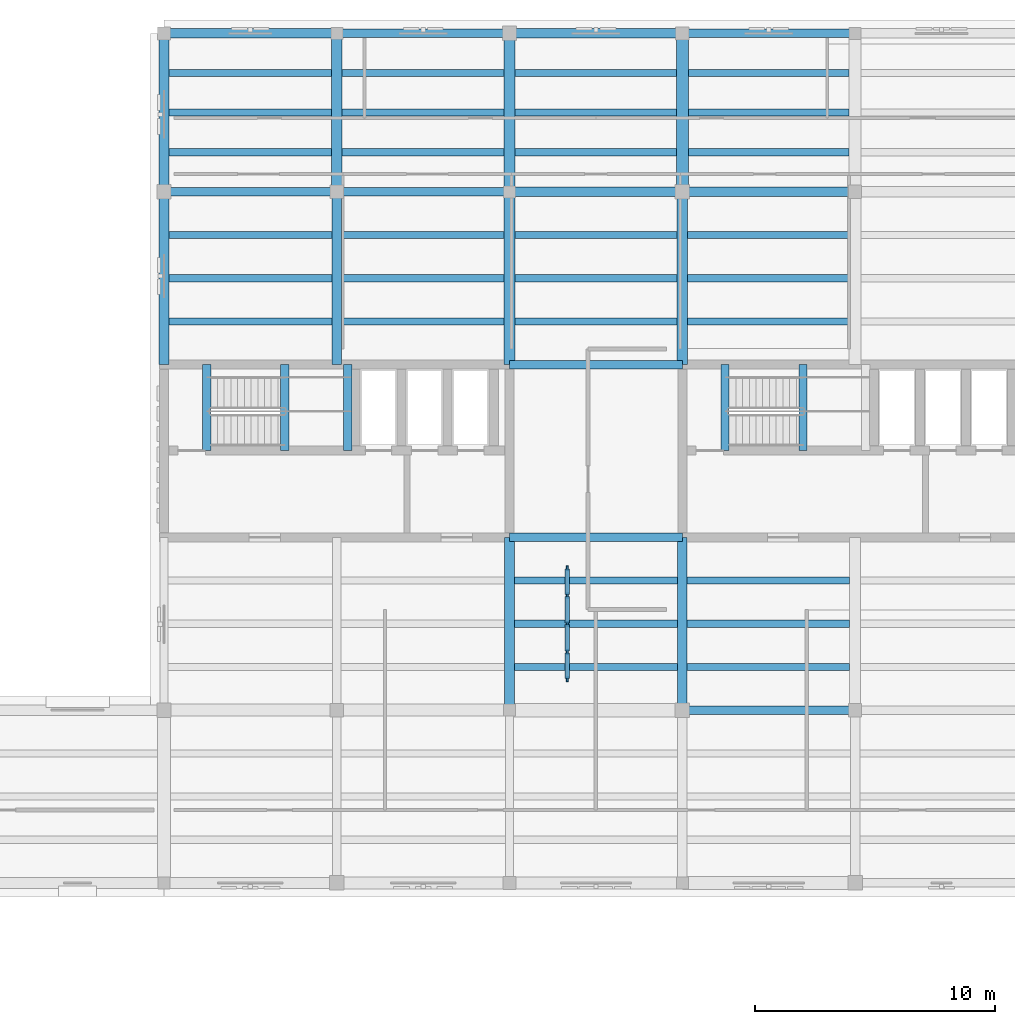
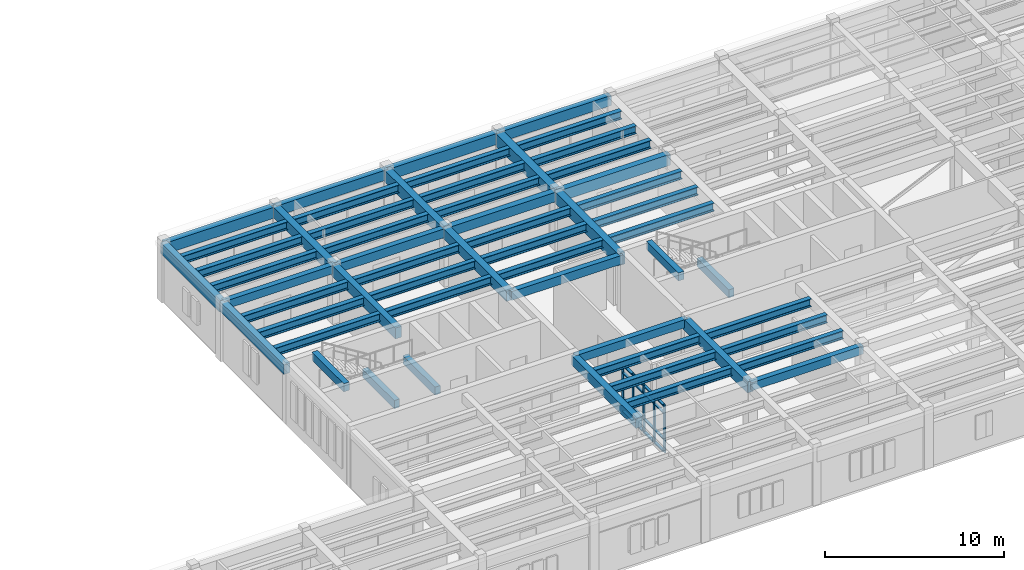
# One storey, part 3 of 27: 56 beams, 21 members, 1 element without a shape of its own.
"""IFC4 building model written with IfcOpenShell, lengths in metres."""

from ifc_helpers import new_model, si_unit, direction, frame, origin, origin_2d, place, context, subcontext, project, spatial, rectangle, i_section, extrude, material, material_profile, profile_set, type_object, element, aggregate, save


model = new_model("IFC4")

# Units and contexts
model_context = context("Model", 3, precision=1e-05, world=origin(), true_north=direction((0.0, 1.0)))
body_context = subcontext(model_context, "Body", "Model", "MODEL_VIEW")
ifc_project = project(units=[si_unit("LENGTHUNIT", "METRE"), si_unit("AREAUNIT", "SQUARE_METRE"), si_unit("VOLUMEUNIT", "CUBIC_METRE"), si_unit("PLANEANGLEUNIT", "RADIAN"), si_unit("MASSUNIT", "GRAM", prefix="KILO")], contexts=[model_context])

# Site, building, storey
site_placement = place(None, origin())
site = spatial("IfcSite", under=ifc_project, at=site_placement, CompositionType="ELEMENT")
building_placement = place(site_placement, origin())
building = spatial("IfcBuilding", under=site, at=building_placement, Name="Mithqara Police Headquarters", CompositionType="ELEMENT")
storey_placement = place(building_placement, frame((0.0, 0.0, 18.0)))
storey = spatial("IfcBuildingStorey", under=building, at=storey_placement, Name="L04", CompositionType="ELEMENT", Elevation=18.0)

# Beams
ifc_material_1 = material(Name="Steel S355JR", Category="steel")
ifc_material_profile_1 = material_profile(ifc_material_1, i_section(OverallWidth=0.300048828125, OverallDepth=0.550048828125, WebThickness=0.014892578125, FlangeThickness=0.029052734375, FilletRadius=0.027099609375, at=origin_2d()), Name="HEB 550")
ifc_profile_set_1 = profile_set([ifc_material_profile_1], Name="Steel S355JR")
beam_type_1 = type_object("IfcBeamType", Name="BEAM HEB550", PredefinedType="BEAM", material=ifc_profile_set_1)
for number, where, z_axis, x_axis, name in (
    (1, (108.800048828125, 102.0, 3.6650390625), (1.0, 0.0, 0.0), (0.0, 1.0, 0.0), "L04 Composite Steel Joist 16-17/Q.1"),
    (2, (108.800048828125, 103.800048828125, 3.6650390625), (1.0, 0.0, 0.0), (0.0, 1.0, 0.0), "L04 Composite Steel Joist 16-17/Q.2"),
    (3, (108.800048828125, 105.60009765625, 3.6650390625), (1.0, 0.0, 0.0), (0.0, 1.0, 0.0), "L04 Composite Steel Joist 16-17/Q.3"),
):
    element("IfcBeam", number, at=place(storey_placement, frame(where, z_axis=z_axis, x_axis=x_axis)), inside=storey, type_object=beam_type_1, Name=name, PredefinedType="BEAM", context=body_context, shape_type="SweptSolid", body=[
        extrude(i_section(OverallWidth=0.300048828125, OverallDepth=0.550048828125, WebThickness=0.014892578125, FlangeThickness=0.029052734375, FilletRadius=0.027099609375, at=origin_2d()), origin(), (0.0, 0.0, 1.0), 6.800048828125),
    ])
for number, where, z_axis, x_axis, name in (
    (4, (108.800048828125, 109.050048828125, 3.6650390625), (1.0, 0.0, 0.0), (0.0, 1.0, 0.0), "L04 Composite Steel Joist 16-17/R.1"),
    (5, (108.800048828125, 110.699951171875, 3.6650390625), (1.0, 0.0, 0.0), (0.0, 1.0, 0.0), "L04 Composite Steel Joist 16-17/R.2"),
    (6, (108.800048828125, 112.35009765625, 3.6650390625), (1.0, 0.0, 0.0), (0.0, 1.0, 0.0), "L04 Composite Steel Joist 16-17/R.3"),
    (7, (116.0, 102.0, 3.6650390625), (1.0, 0.0, 0.0), (0.0, 1.0, 0.0), "L04 Composite Steel Joist 17-18/Q.1"),
    (8, (116.0, 103.800048828125, 3.6650390625), (1.0, 0.0, 0.0), (0.0, 1.0, 0.0), "L04 Composite Steel Joist 17-18/Q.2"),
    (9, (116.0, 105.60009765625, 3.6650390625), (1.0, 0.0, 0.0), (0.0, 1.0, 0.0), "L04 Composite Steel Joist 17-18/Q.3"),
):
    element("IfcBeam", number, at=place(storey_placement, frame(where, z_axis=z_axis, x_axis=x_axis)), inside=storey, type_object=beam_type_1, Name=name, PredefinedType="BEAM", context=body_context, shape_type="SweptSolid", body=[
        extrude(i_section(OverallWidth=0.300048828125, OverallDepth=0.550048828125, WebThickness=0.014892578125, FlangeThickness=0.029052734375, FilletRadius=0.027099609375, at=origin_2d()), origin(), (0.0, 0.0, 1.0), 6.77490234375),
    ])
for number, where, z_axis, x_axis, name in (
    (10, (116.02490234375, 109.050048828125, 3.6650390625), (1.0, 0.0, 0.0), (0.0, 1.0, 0.0), "L04 Composite Steel Joist 17-18/R.1"),
    (11, (116.02490234375, 110.699951171875, 3.6650390625), (1.0, 0.0, 0.0), (0.0, 1.0, 0.0), "L04 Composite Steel Joist 17-18/R.2"),
    (12, (116.02490234375, 112.35009765625, 3.6650390625), (1.0, 0.0, 0.0), (0.0, 1.0, 0.0), "L04 Composite Steel Joist 17-18/R.3"),
):
    element("IfcBeam", number, at=place(storey_placement, frame(where, z_axis=z_axis, x_axis=x_axis)), inside=storey, type_object=beam_type_1, Name=name, PredefinedType="BEAM", context=body_context, shape_type="SweptSolid", body=[
        extrude(i_section(OverallWidth=0.300048828125, OverallDepth=0.550048828125, WebThickness=0.014892578125, FlangeThickness=0.029052734375, FilletRadius=0.027099609375, at=origin_2d()), origin(), (0.0, 0.0, 1.0), 6.75),
    ])
for number, where, z_axis, x_axis, name in (
    (13, (123.199951171875, 87.60009765625, 3.6650390625), (1.0, 0.0, 0.0), (0.0, 1.0, 0.0), "L04 Composite Steel Joist 18-19/N.1"),
    (14, (123.199951171875, 89.39990234375, 3.6650390625), (1.0, 0.0, 0.0), (0.0, 1.0, 0.0), "L04 Composite Steel Joist 18-19/N.2"),
    (15, (123.199951171875, 91.199951171875, 3.6650390625), (1.0, 0.0, 0.0), (0.0, 1.0, 0.0), "L04 Composite Steel Joist 18-19/N.3"),
):
    element("IfcBeam", number, at=place(storey_placement, frame(where, z_axis=z_axis, x_axis=x_axis)), inside=storey, type_object=beam_type_1, Name=name, PredefinedType="BEAM", context=body_context, shape_type="SweptSolid", body=[
        extrude(i_section(OverallWidth=0.300048828125, OverallDepth=0.550048828125, WebThickness=0.014892578125, FlangeThickness=0.029052734375, FilletRadius=0.027099609375, at=origin_2d()), origin(), (0.0, 0.0, 1.0), 6.800048828125),
    ])
for number, where, z_axis, x_axis, name in (
    (16, (123.22509765625, 102.0, 3.6650390625), (1.0, 0.0, 0.0), (0.0, 1.0, 0.0), "L04 Composite Steel Joist 18-19/Q.1"),
    (17, (123.22509765625, 103.800048828125, 3.6650390625), (1.0, 0.0, 0.0), (0.0, 1.0, 0.0), "L04 Composite Steel Joist 18-19/Q.2"),
    (18, (123.22509765625, 105.60009765625, 3.6650390625), (1.0, 0.0, 0.0), (0.0, 1.0, 0.0), "L04 Composite Steel Joist 18-19/Q.3"),
):
    element("IfcBeam", number, at=place(storey_placement, frame(where, z_axis=z_axis, x_axis=x_axis)), inside=storey, type_object=beam_type_1, Name=name, PredefinedType="BEAM", context=body_context, shape_type="SweptSolid", body=[
        extrude(i_section(OverallWidth=0.300048828125, OverallDepth=0.550048828125, WebThickness=0.014892578125, FlangeThickness=0.029052734375, FilletRadius=0.027099609375, at=origin_2d()), origin(), (0.0, 0.0, 1.0), 6.75),
    ])
for number, where, z_axis, x_axis, name in (
    (19, (123.22509765625, 109.050048828125, 3.6650390625), (1.0, 0.0, 0.0), (0.0, 1.0, 0.0), "L04 Composite Steel Joist 18-19/R.1"),
    (20, (123.22509765625, 110.699951171875, 3.6650390625), (1.0, 0.0, 0.0), (0.0, 1.0, 0.0), "L04 Composite Steel Joist 18-19/R.2"),
    (21, (123.22509765625, 112.35009765625, 3.6650390625), (1.0, 0.0, 0.0), (0.0, 1.0, 0.0), "L04 Composite Steel Joist 18-19/R.3"),
):
    element("IfcBeam", number, at=place(storey_placement, frame(where, z_axis=z_axis, x_axis=x_axis)), inside=storey, type_object=beam_type_1, Name=name, PredefinedType="BEAM", context=body_context, shape_type="SweptSolid", body=[
        extrude(i_section(OverallWidth=0.300048828125, OverallDepth=0.550048828125, WebThickness=0.014892578125, FlangeThickness=0.029052734375, FilletRadius=0.027099609375, at=origin_2d()), origin(), (0.0, 0.0, 1.0), 6.724853515625),
    ])
for number, where, z_axis, x_axis, name in (
    (22, (130.39990234375, 87.60009765625, 3.6650390625), (1.0, 0.0, 0.0), (0.0, 1.0, 0.0), "L04 Composite Steel Joist 19-20/N.1"),
    (23, (130.39990234375, 89.39990234375, 3.6650390625), (1.0, 0.0, 0.0), (0.0, 1.0, 0.0), "L04 Composite Steel Joist 19-20/N.2"),
    (24, (130.39990234375, 91.199951171875, 3.6650390625), (1.0, 0.0, 0.0), (0.0, 1.0, 0.0), "L04 Composite Steel Joist 19-20/N.3"),
):
    element("IfcBeam", number, at=place(storey_placement, frame(where, z_axis=z_axis, x_axis=x_axis)), inside=storey, type_object=beam_type_1, Name=name, PredefinedType="BEAM", context=body_context, shape_type="SweptSolid", body=[
        extrude(i_section(OverallWidth=0.300048828125, OverallDepth=0.550048828125, WebThickness=0.014892578125, FlangeThickness=0.029052734375, FilletRadius=0.027099609375, at=origin_2d()), origin(), (0.0, 0.0, 1.0), 6.775146484375),
    ])
for number, where, z_axis, x_axis, name in (
    (25, (130.425048828125, 102.0, 3.6650390625), (1.0, 0.0, 0.0), (0.0, 1.0, 0.0), "L04 Composite Steel Joist 19-20/Q.1"),
    (26, (130.425048828125, 103.800048828125, 3.6650390625), (1.0, 0.0, 0.0), (0.0, 1.0, 0.0), "L04 Composite Steel Joist 19-20/Q.2"),
    (27, (130.425048828125, 105.60009765625, 3.6650390625), (1.0, 0.0, 0.0), (0.0, 1.0, 0.0), "L04 Composite Steel Joist 19-20/Q.3"),
):
    element("IfcBeam", number, at=place(storey_placement, frame(where, z_axis=z_axis, x_axis=x_axis)), inside=storey, type_object=beam_type_1, Name=name, PredefinedType="BEAM", context=body_context, shape_type="SweptSolid", body=[
        extrude(i_section(OverallWidth=0.300048828125, OverallDepth=0.550048828125, WebThickness=0.014892578125, FlangeThickness=0.029052734375, FilletRadius=0.027099609375, at=origin_2d()), origin(), (0.0, 0.0, 1.0), 6.724853515625),
    ])
for number, where, z_axis, x_axis, name in (
    (28, (130.449951171875, 109.050048828125, 3.6650390625), (1.0, 0.0, 0.0), (0.0, 1.0, 0.0), "L04 Composite Steel Joist 19-20/R.1"),
    (29, (130.449951171875, 110.699951171875, 3.6650390625), (1.0, 0.0, 0.0), (0.0, 1.0, 0.0), "L04 Composite Steel Joist 19-20/R.2"),
    (30, (130.449951171875, 112.35009765625, 3.6650390625), (1.0, 0.0, 0.0), (0.0, 1.0, 0.0), "L04 Composite Steel Joist 19-20/R.3"),
):
    element("IfcBeam", number, at=place(storey_placement, frame(where, z_axis=z_axis, x_axis=x_axis)), inside=storey, type_object=beam_type_1, Name=name, PredefinedType="BEAM", context=body_context, shape_type="SweptSolid", body=[
        extrude(i_section(OverallWidth=0.300048828125, OverallDepth=0.550048828125, WebThickness=0.014892578125, FlangeThickness=0.029052734375, FilletRadius=0.027099609375, at=origin_2d()), origin(), (0.0, 0.0, 1.0), 6.699951171875),
    ])
ifc_material_2 = material(Name="Concrete C40/50", Category="concrete")
ifc_material_profile_2 = material_profile(ifc_material_2, rectangle(XDim=0.35009765625, YDim=0.550048828125, at=origin_2d()), Name="RC 350x550")
ifc_profile_set_2 = profile_set([ifc_material_profile_2], Name="Concrete C40/50")
beam_type_2 = type_object("IfcBeamType", Name="BEAM RC350X550", PredefinedType="BEAM", material=ifc_profile_set_2)
for number, where, z_axis, x_axis, name in (
    (31, (108.60009765625, 107.39990234375, 3.6650390625), (1.0, 0.0, 0.0), (0.0, 1.0, 0.0), "L04 Girder 16-17/R"),
    (32, (123.0, 93.0, 3.6650390625), (1.0, 0.0, 0.0), (0.0, 1.0, 0.0), "L04 Girder 18-19/P"),
    (33, (130.199951171875, 85.800048828125, 3.6650390625), (1.0, 0.0, 0.0), (0.0, 1.0, 0.0), "L04 Girder 19-20/N"),
):
    element("IfcBeam", number, at=place(storey_placement, frame(where, z_axis=z_axis, x_axis=x_axis)), inside=storey, type_object=beam_type_2, Name=name, PredefinedType="BEAM", context=body_context, shape_type="SweptSolid", body=[
        extrude(rectangle(XDim=0.35009765625, YDim=0.550048828125, at=origin_2d()), origin(), (0.0, 0.0, 1.0), 7.199951171875),
    ])
for number, where, z_axis, x_axis, name in (
    (34, (113.6298828125, 96.6201171875, 1.635009765625), (0.0, 1.0, 0.0), (-1.0, 0.0, 0.0), "L04 ST-01 Half-Landing Bearer LF"),
    (35, (116.25, 96.6201171875, 1.635009765625), (0.0, 1.0, 0.0), (-1.0, 0.0, 0.0), "L04 ST-01 Half-Landing Bearer LB"),
    (36, (110.376953125, 96.6201171875, 3.925048828125), (0.0, 1.0, 0.0), (-1.0, 0.0, 0.0), "L04 ST-01 Stairwell Trimmer Beam"),
    (37, (135.22998046875, 96.6201171875, 1.635009765625), (0.0, 1.0, 0.0), (-1.0, 0.0, 0.0), "L04 ST-02 Half-Landing Bearer LF"),
    (38, (131.97705078125, 96.6201171875, 3.925048828125), (0.0, 1.0, 0.0), (-1.0, 0.0, 0.0), "L04 ST-02 Stairwell Trimmer Beam"),
):
    element("IfcBeam", number, at=place(storey_placement, frame(where, z_axis=z_axis, x_axis=x_axis)), inside=storey, type_object=beam_type_2, Name=name, PredefinedType="BEAM", context=body_context, shape_type="SweptSolid", body=[
        extrude(rectangle(XDim=0.35009765625, YDim=0.550048828125, at=origin_2d()), origin(), (0.0, 0.0, 1.0), 3.579833984375),
    ])
ifc_material_profile_3 = material_profile(ifc_material_2, rectangle(XDim=0.35009765625, YDim=0.60009765625, at=origin_2d()), Name="RC 350x600")
ifc_profile_set_3 = profile_set([ifc_material_profile_3], Name="Concrete C40/50")
beam_type_3 = type_object("IfcBeamType", Name="BEAM RC350X600", PredefinedType="BEAM", material=ifc_profile_set_3)
for number, where, z_axis, x_axis, name in (
    (39, (115.800048828125, 107.39990234375, 3.639892578125), (1.0, 0.0, 0.0), (0.0, 1.0, 0.0), "L04 Girder 17-18/R"),
    (40, (123.0, 100.199951171875, 3.639892578125), (1.0, 0.0, 0.0), (0.0, 1.0, 0.0), "L04 Girder 18-19/Q"),
):
    element("IfcBeam", number, at=place(storey_placement, frame(where, z_axis=z_axis, x_axis=x_axis)), inside=storey, type_object=beam_type_3, Name=name, PredefinedType="BEAM", context=body_context, shape_type="SweptSolid", body=[
        extrude(rectangle(XDim=0.35009765625, YDim=0.60009765625, at=origin_2d()), origin(), (0.0, 0.0, 1.0), 7.199951171875),
    ])
ifc_material_profile_4 = material_profile(ifc_material_2, rectangle(XDim=0.39990234375, YDim=0.64990234375, at=origin_2d()), Name="RC 400x650")
ifc_profile_set_4 = profile_set([ifc_material_profile_4], Name="Concrete C40/50")
beam_type_4 = type_object("IfcBeamType", Name="BEAM RC400X650", PredefinedType="BEAM", material=ifc_profile_set_4)
for number, where, z_axis, x_axis, name in (
    (41, (108.60009765625, 100.199951171875, 3.614990234375), (0.0, 1.0, 0.0), (-1.0, 0.0, 0.0), "L04 Girder 16/Q-R"),
    (42, (123.0, 85.800048828125, 3.614990234375), (0.0, 1.0, 0.0), (-1.0, 0.0, 0.0), "L04 Girder 18/N-P"),
    (43, (123.0, 107.39990234375, 3.614990234375), (1.0, 0.0, 0.0), (0.0, 1.0, 0.0), "L04 Girder 18-19/R"),
):
    element("IfcBeam", number, at=place(storey_placement, frame(where, z_axis=z_axis, x_axis=x_axis)), inside=storey, type_object=beam_type_4, Name=name, PredefinedType="BEAM", context=body_context, shape_type="SweptSolid", body=[
        extrude(rectangle(XDim=0.39990234375, YDim=0.64990234375, at=origin_2d()), origin(), (0.0, 0.0, 1.0), 7.199951171875),
    ])
ifc_material_profile_5 = material_profile(ifc_material_2, rectangle(XDim=0.39990234375, YDim=0.75, at=origin_2d()), Name="RC 400x750")
ifc_profile_set_5 = profile_set([ifc_material_profile_5], Name="Concrete C40/50")
beam_type_5 = type_object("IfcBeamType", Name="BEAM RC400X750", PredefinedType="BEAM", material=ifc_profile_set_5)
beam_1_placement = place(storey_placement, frame((108.60009765625, 107.39990234375, 3.56494140625), z_axis=(0.0, 1.0, 0.0), x_axis=(-1.0, 0.0, 0.0)))
element("IfcBeam", 44, at=beam_1_placement, inside=storey, type_object=beam_type_5, Name="L04 Girder 16/R-S", PredefinedType="BEAM", context=body_context, shape_type="SweptSolid", body=[
    extrude(rectangle(XDim=0.39990234375, YDim=0.75, at=origin_2d()), origin(), (0.0, 0.0, 1.0), 6.60009765625),
])
for number, where, z_axis, x_axis, name in (
    (45, (115.800048828125, 100.199951171875, 3.56494140625), (0.0, 1.0, 0.0), (-1.0, 0.0, 0.0), "L04 Girder 17/Q-R"),
    (46, (130.199951171875, 85.800048828125, 3.56494140625), (0.0, 1.0, 0.0), (-1.0, 0.0, 0.0), "L04 Girder 19/N-P"),
    (47, (130.199951171875, 107.39990234375, 3.56494140625), (1.0, 0.0, 0.0), (0.0, 1.0, 0.0), "L04 Girder 19-20/R"),
):
    element("IfcBeam", number, at=place(storey_placement, frame(where, z_axis=z_axis, x_axis=x_axis)), inside=storey, type_object=beam_type_5, Name=name, PredefinedType="BEAM", context=body_context, shape_type="SweptSolid", body=[
        extrude(rectangle(XDim=0.39990234375, YDim=0.75, at=origin_2d()), origin(), (0.0, 0.0, 1.0), 7.199951171875),
    ])
ifc_material_profile_6 = material_profile(ifc_material_2, rectangle(XDim=0.449951171875, YDim=0.699951171875, at=origin_2d()), Name="RC 450x700")
ifc_profile_set_6 = profile_set([ifc_material_profile_6], Name="Concrete C40/50")
beam_type_6 = type_object("IfcBeamType", Name="BEAM RC450X700", PredefinedType="BEAM", material=ifc_profile_set_6)
beam_2_placement = place(storey_placement, frame((115.800048828125, 107.39990234375, 3.590087890625), z_axis=(0.0, 1.0, 0.0), x_axis=(-1.0, 0.0, 0.0)))
element("IfcBeam", 48, at=beam_2_placement, inside=storey, type_object=beam_type_6, Name="L04 Girder 17/R-S", PredefinedType="BEAM", context=body_context, shape_type="SweptSolid", body=[
    extrude(rectangle(XDim=0.449951171875, YDim=0.699951171875, at=origin_2d()), origin(), (0.0, 0.0, 1.0), 6.60009765625),
])
beam_3_placement = place(storey_placement, frame((123.0, 100.199951171875, 3.590087890625), z_axis=(0.0, 1.0, 0.0), x_axis=(-1.0, 0.0, 0.0)))
element("IfcBeam", 49, at=beam_3_placement, inside=storey, type_object=beam_type_6, Name="L04 Girder 18/Q-R", PredefinedType="BEAM", context=body_context, shape_type="SweptSolid", body=[
    extrude(rectangle(XDim=0.449951171875, YDim=0.699951171875, at=origin_2d()), origin(), (0.0, 0.0, 1.0), 7.199951171875),
])
ifc_material_profile_7 = material_profile(ifc_material_2, rectangle(XDim=0.449951171875, YDim=0.800048828125, at=origin_2d()), Name="RC 450x800")
ifc_profile_set_7 = profile_set([ifc_material_profile_7], Name="Concrete C40/50")
beam_type_7 = type_object("IfcBeamType", Name="BEAM RC450X800", PredefinedType="BEAM", material=ifc_profile_set_7)
beam_4_placement = place(storey_placement, frame((123.0, 107.39990234375, 3.5400390625), z_axis=(0.0, 1.0, 0.0), x_axis=(-1.0, 0.0, 0.0)))
element("IfcBeam", 50, at=beam_4_placement, inside=storey, type_object=beam_type_7, Name="L04 Girder 18/R-S", PredefinedType="BEAM", context=body_context, shape_type="SweptSolid", body=[
    extrude(rectangle(XDim=0.449951171875, YDim=0.800048828125, at=origin_2d()), origin(), (0.0, 0.0, 1.0), 6.60009765625),
])
beam_5_placement = place(storey_placement, frame((130.199951171875, 100.199951171875, 3.5400390625), z_axis=(0.0, 1.0, 0.0), x_axis=(-1.0, 0.0, 0.0)))
element("IfcBeam", 51, at=beam_5_placement, inside=storey, type_object=beam_type_7, Name="L04 Girder 19/Q-R", PredefinedType="BEAM", context=body_context, shape_type="SweptSolid", body=[
    extrude(rectangle(XDim=0.449951171875, YDim=0.800048828125, at=origin_2d()), origin(), (0.0, 0.0, 1.0), 7.199951171875),
])
ifc_material_profile_8 = material_profile(ifc_material_2, rectangle(XDim=0.5, YDim=0.85009765625, at=origin_2d()), Name="RC 500x850")
ifc_profile_set_8 = profile_set([ifc_material_profile_8], Name="Concrete C40/50")
beam_type_8 = type_object("IfcBeamType", Name="BEAM RC500X850", PredefinedType="BEAM", material=ifc_profile_set_8)
beam_6_placement = place(storey_placement, frame((130.199951171875, 107.39990234375, 3.514892578125), z_axis=(0.0, 1.0, 0.0), x_axis=(-1.0, 0.0, 0.0)))
element("IfcBeam", 52, at=beam_6_placement, inside=storey, type_object=beam_type_8, Name="L04 Girder 19/R-S", PredefinedType="BEAM", context=body_context, shape_type="SweptSolid", body=[
    extrude(rectangle(XDim=0.5, YDim=0.85009765625, at=origin_2d()), origin(), (0.0, 0.0, 1.0), 6.60009765625),
])

# Curtain wall, members
ifc_material_3 = material(Name="Bronze anodised aluminium 6063-T6", Category="aluminium")
curtain_wall_type = type_object("IfcCurtainWallType", Name="CURTAIN WALL 4700X3220", PredefinedType="USERDEFINED", material=ifc_material_3)
curtain_wall_placement = place(storey_placement, origin())
curtain_wall = element("IfcCurtainWall", 53, at=curtain_wall_placement, inside=storey, type_object=curtain_wall_type, Name="L04 Unitised Glazing CW-16 (CW-INT-L04-X17-Y12-0)", ObjectType="UNITISED GLAZING", PredefinedType="USERDEFINED")
ifc_material_profile_9 = material_profile(ifc_material_3, rectangle(XDim=0.074951171875, YDim=0.219970703125, at=origin_2d()), Name="CWM 75x220")
ifc_profile_set_9 = profile_set([ifc_material_profile_9], Name="Bronze anodised aluminium 6063-T6")
member_type_1 = type_object("IfcMemberType", Name="CWMULLION 75X220", PredefinedType="MULLION", material=ifc_profile_set_9)
member_1_placement = place(storey_placement, frame((125.39990234375, 87.08740234375, 0.0), z_axis=(0.0, 0.0, 1.0), x_axis=(-1.0, 0.0, 0.0)))
member_1 = element("IfcMember", 54, at=member_1_placement, type_object=member_type_1, Name="CW-16 mullion 1", PredefinedType="MULLION", context=body_context, shape_type="SweptSolid", body=[
    extrude(rectangle(XDim=0.074951171875, YDim=0.219970703125, at=origin_2d()), origin(), (0.0, 0.0, 1.0), 3.219970703125),
])
member_2_placement = place(storey_placement, frame((125.39990234375, 88.22509765625, 0.0), z_axis=(0.0, 0.0, 1.0), x_axis=(-1.0, 0.0, 0.0)))
member_2 = element("IfcMember", 55, at=member_2_placement, type_object=member_type_1, Name="CW-16 mullion 2", PredefinedType="MULLION", context=body_context, shape_type="SweptSolid", body=[
    extrude(rectangle(XDim=0.074951171875, YDim=0.219970703125, at=origin_2d()), origin(), (0.0, 0.0, 1.0), 3.219970703125),
])
member_3_placement = place(storey_placement, frame((125.39990234375, 89.39990234375, 0.0), z_axis=(0.0, 0.0, 1.0), x_axis=(-1.0, 0.0, 0.0)))
member_3 = element("IfcMember", 56, at=member_3_placement, type_object=member_type_1, Name="CW-16 mullion 3", PredefinedType="MULLION", context=body_context, shape_type="SweptSolid", body=[
    extrude(rectangle(XDim=0.074951171875, YDim=0.219970703125, at=origin_2d()), origin(), (0.0, 0.0, 1.0), 3.219970703125),
])
member_4_placement = place(storey_placement, frame((125.39990234375, 90.574951171875, 0.0), z_axis=(0.0, 0.0, 1.0), x_axis=(-1.0, 0.0, 0.0)))
member_4 = element("IfcMember", 57, at=member_4_placement, type_object=member_type_1, Name="CW-16 mullion 4", PredefinedType="MULLION", context=body_context, shape_type="SweptSolid", body=[
    extrude(rectangle(XDim=0.074951171875, YDim=0.219970703125, at=origin_2d()), origin(), (0.0, 0.0, 1.0), 3.219970703125),
])
member_5_placement = place(storey_placement, frame((125.39990234375, 91.71240234375, 0.0), z_axis=(0.0, 0.0, 1.0), x_axis=(-1.0, 0.0, 0.0)))
member_5 = element("IfcMember", 58, at=member_5_placement, type_object=member_type_1, Name="CW-16 mullion 5", PredefinedType="MULLION", context=body_context, shape_type="SweptSolid", body=[
    extrude(rectangle(XDim=0.074951171875, YDim=0.219970703125, at=origin_2d()), origin(), (0.0, 0.0, 1.0), 3.219970703125),
])
ifc_material_profile_10 = material_profile(ifc_material_3, rectangle(XDim=0.179931640625, YDim=0.074951171875, at=origin_2d()), Name="CWT 180x75")
ifc_profile_set_10 = profile_set([ifc_material_profile_10], Name="Bronze anodised aluminium 6063-T6")
member_type_2 = type_object("IfcMemberType", Name="CWTRANSOM 180X75", PredefinedType="USERDEFINED", material=ifc_profile_set_10)
member_6_placement = place(storey_placement, frame((125.39990234375, 87.125, 0.03759765625), z_axis=(0.0, 1.0, 0.0), x_axis=(-1.0, 0.0, 0.0)))
member_6 = element("IfcMember", 59, at=member_6_placement, type_object=member_type_2, Name="CW-16 transom 1.1", ObjectType="TRANSOM", PredefinedType="USERDEFINED", context=body_context, shape_type="SweptSolid", body=[
    extrude(rectangle(XDim=0.179931640625, YDim=0.074951171875, at=origin_2d()), origin(), (0.0, 0.0, 1.0), 1.0625),
])
member_7_placement = place(storey_placement, frame((125.39990234375, 87.125, 0.89990234375), z_axis=(0.0, 1.0, 0.0), x_axis=(-1.0, 0.0, 0.0)))
member_7 = element("IfcMember", 60, at=member_7_placement, type_object=member_type_2, Name="CW-16 transom 1.2", ObjectType="TRANSOM", PredefinedType="USERDEFINED", context=body_context, shape_type="SweptSolid", body=[
    extrude(rectangle(XDim=0.179931640625, YDim=0.074951171875, at=origin_2d()), origin(), (0.0, 0.0, 1.0), 1.0625),
])
member_8_placement = place(storey_placement, frame((125.39990234375, 87.125, 2.669921875), z_axis=(0.0, 1.0, 0.0), x_axis=(-1.0, 0.0, 0.0)))
member_8 = element("IfcMember", 61, at=member_8_placement, type_object=member_type_2, Name="CW-16 transom 1.3", ObjectType="TRANSOM", PredefinedType="USERDEFINED", context=body_context, shape_type="SweptSolid", body=[
    extrude(rectangle(XDim=0.179931640625, YDim=0.074951171875, at=origin_2d()), origin(), (0.0, 0.0, 1.0), 1.0625),
])
member_9_placement = place(storey_placement, frame((125.39990234375, 87.125, 3.1826171875), z_axis=(0.0, 1.0, 0.0), x_axis=(-1.0, 0.0, 0.0)))
member_9 = element("IfcMember", 62, at=member_9_placement, type_object=member_type_2, Name="CW-16 transom 1.4", ObjectType="TRANSOM", PredefinedType="USERDEFINED", context=body_context, shape_type="SweptSolid", body=[
    extrude(rectangle(XDim=0.179931640625, YDim=0.074951171875, at=origin_2d()), origin(), (0.0, 0.0, 1.0), 1.0625),
])
member_10_placement = place(storey_placement, frame((125.39990234375, 88.262451171875, 0.03759765625), z_axis=(0.0, 1.0, 0.0), x_axis=(-1.0, 0.0, 0.0)))
member_10 = element("IfcMember", 63, at=member_10_placement, type_object=member_type_2, Name="CW-16 transom 2.1", ObjectType="TRANSOM", PredefinedType="USERDEFINED", context=body_context, shape_type="SweptSolid", body=[
    extrude(rectangle(XDim=0.179931640625, YDim=0.074951171875, at=origin_2d()), origin(), (0.0, 0.0, 1.0), 1.10009765625),
])
member_11_placement = place(storey_placement, frame((125.39990234375, 88.262451171875, 0.89990234375), z_axis=(0.0, 1.0, 0.0), x_axis=(-1.0, 0.0, 0.0)))
member_11 = element("IfcMember", 64, at=member_11_placement, type_object=member_type_2, Name="CW-16 transom 2.2", ObjectType="TRANSOM", PredefinedType="USERDEFINED", context=body_context, shape_type="SweptSolid", body=[
    extrude(rectangle(XDim=0.179931640625, YDim=0.074951171875, at=origin_2d()), origin(), (0.0, 0.0, 1.0), 1.10009765625),
])
member_12_placement = place(storey_placement, frame((125.39990234375, 88.262451171875, 2.669921875), z_axis=(0.0, 1.0, 0.0), x_axis=(-1.0, 0.0, 0.0)))
member_12 = element("IfcMember", 65, at=member_12_placement, type_object=member_type_2, Name="CW-16 transom 2.3", ObjectType="TRANSOM", PredefinedType="USERDEFINED", context=body_context, shape_type="SweptSolid", body=[
    extrude(rectangle(XDim=0.179931640625, YDim=0.074951171875, at=origin_2d()), origin(), (0.0, 0.0, 1.0), 1.10009765625),
])
member_13_placement = place(storey_placement, frame((125.39990234375, 88.262451171875, 3.1826171875), z_axis=(0.0, 1.0, 0.0), x_axis=(-1.0, 0.0, 0.0)))
member_13 = element("IfcMember", 66, at=member_13_placement, type_object=member_type_2, Name="CW-16 transom 2.4", ObjectType="TRANSOM", PredefinedType="USERDEFINED", context=body_context, shape_type="SweptSolid", body=[
    extrude(rectangle(XDim=0.179931640625, YDim=0.074951171875, at=origin_2d()), origin(), (0.0, 0.0, 1.0), 1.10009765625),
])
member_14_placement = place(storey_placement, frame((125.39990234375, 89.4375, 0.03759765625), z_axis=(0.0, 1.0, 0.0), x_axis=(-1.0, 0.0, 0.0)))
member_14 = element("IfcMember", 67, at=member_14_placement, type_object=member_type_2, Name="CW-16 transom 3.1", ObjectType="TRANSOM", PredefinedType="USERDEFINED", context=body_context, shape_type="SweptSolid", body=[
    extrude(rectangle(XDim=0.179931640625, YDim=0.074951171875, at=origin_2d()), origin(), (0.0, 0.0, 1.0), 1.10009765625),
])
member_15_placement = place(storey_placement, frame((125.39990234375, 89.4375, 0.89990234375), z_axis=(0.0, 1.0, 0.0), x_axis=(-1.0, 0.0, 0.0)))
member_15 = element("IfcMember", 68, at=member_15_placement, type_object=member_type_2, Name="CW-16 transom 3.2", ObjectType="TRANSOM", PredefinedType="USERDEFINED", context=body_context, shape_type="SweptSolid", body=[
    extrude(rectangle(XDim=0.179931640625, YDim=0.074951171875, at=origin_2d()), origin(), (0.0, 0.0, 1.0), 1.10009765625),
])
member_16_placement = place(storey_placement, frame((125.39990234375, 89.4375, 2.669921875), z_axis=(0.0, 1.0, 0.0), x_axis=(-1.0, 0.0, 0.0)))
member_16 = element("IfcMember", 69, at=member_16_placement, type_object=member_type_2, Name="CW-16 transom 3.3", ObjectType="TRANSOM", PredefinedType="USERDEFINED", context=body_context, shape_type="SweptSolid", body=[
    extrude(rectangle(XDim=0.179931640625, YDim=0.074951171875, at=origin_2d()), origin(), (0.0, 0.0, 1.0), 1.10009765625),
])
member_17_placement = place(storey_placement, frame((125.39990234375, 89.4375, 3.1826171875), z_axis=(0.0, 1.0, 0.0), x_axis=(-1.0, 0.0, 0.0)))
member_17 = element("IfcMember", 70, at=member_17_placement, type_object=member_type_2, Name="CW-16 transom 3.4", ObjectType="TRANSOM", PredefinedType="USERDEFINED", context=body_context, shape_type="SweptSolid", body=[
    extrude(rectangle(XDim=0.179931640625, YDim=0.074951171875, at=origin_2d()), origin(), (0.0, 0.0, 1.0), 1.10009765625),
])
member_18_placement = place(storey_placement, frame((125.39990234375, 90.612548828125, 0.03759765625), z_axis=(0.0, 1.0, 0.0), x_axis=(-1.0, 0.0, 0.0)))
member_18 = element("IfcMember", 71, at=member_18_placement, type_object=member_type_2, Name="CW-16 transom 4.1", ObjectType="TRANSOM", PredefinedType="USERDEFINED", context=body_context, shape_type="SweptSolid", body=[
    extrude(rectangle(XDim=0.179931640625, YDim=0.074951171875, at=origin_2d()), origin(), (0.0, 0.0, 1.0), 1.0625),
])
member_19_placement = place(storey_placement, frame((125.39990234375, 90.612548828125, 0.89990234375), z_axis=(0.0, 1.0, 0.0), x_axis=(-1.0, 0.0, 0.0)))
member_19 = element("IfcMember", 72, at=member_19_placement, type_object=member_type_2, Name="CW-16 transom 4.2", ObjectType="TRANSOM", PredefinedType="USERDEFINED", context=body_context, shape_type="SweptSolid", body=[
    extrude(rectangle(XDim=0.179931640625, YDim=0.074951171875, at=origin_2d()), origin(), (0.0, 0.0, 1.0), 1.0625),
])
member_20_placement = place(storey_placement, frame((125.39990234375, 90.612548828125, 2.669921875), z_axis=(0.0, 1.0, 0.0), x_axis=(-1.0, 0.0, 0.0)))
member_20 = element("IfcMember", 73, at=member_20_placement, type_object=member_type_2, Name="CW-16 transom 4.3", ObjectType="TRANSOM", PredefinedType="USERDEFINED", context=body_context, shape_type="SweptSolid", body=[
    extrude(rectangle(XDim=0.179931640625, YDim=0.074951171875, at=origin_2d()), origin(), (0.0, 0.0, 1.0), 1.0625),
])
member_21_placement = place(storey_placement, frame((125.39990234375, 90.612548828125, 3.1826171875), z_axis=(0.0, 1.0, 0.0), x_axis=(-1.0, 0.0, 0.0)))
member_21 = element("IfcMember", 74, at=member_21_placement, type_object=member_type_2, Name="CW-16 transom 4.4", ObjectType="TRANSOM", PredefinedType="USERDEFINED", context=body_context, shape_type="SweptSolid", body=[
    extrude(rectangle(XDim=0.179931640625, YDim=0.074951171875, at=origin_2d()), origin(), (0.0, 0.0, 1.0), 1.0625),
])
aggregate(curtain_wall, [member_1, member_2, member_3, member_4, member_5, member_6, member_7, member_8, member_9, member_10, member_11, member_12, member_13, member_14, member_15, member_16, member_17, member_18, member_19, member_20, member_21])

# Beams
ifc_material_profile_11 = material_profile(ifc_material_2, rectangle(XDim=0.35009765625, YDim=0.699951171875, at=origin_2d()), Name="SPB 350x700")
ifc_profile_set_11 = profile_set([ifc_material_profile_11], Name="Concrete C40/50")
beam_type_9 = type_object("IfcBeamType", Name="SPANDREL 350X700", PredefinedType="SPANDREL", material=ifc_profile_set_11)
for number, where, z_axis, x_axis, name in (
    (75, (115.800048828125, 114.0, 3.590087890625), (1.0, 0.0, 0.0), (0.0, 1.0, 0.0), "L04 Girder 17-18/S"),
    (76, (130.199951171875, 114.0, 3.590087890625), (1.0, 0.0, 0.0), (0.0, 1.0, 0.0), "L04 Girder 19-20/S"),
):
    element("IfcBeam", number, at=place(storey_placement, frame(where, z_axis=z_axis, x_axis=x_axis)), inside=storey, type_object=beam_type_9, Name=name, PredefinedType="SPANDREL", context=body_context, shape_type="SweptSolid", body=[
        extrude(rectangle(XDim=0.35009765625, YDim=0.699951171875, at=origin_2d()), origin(), (0.0, 0.0, 1.0), 7.199951171875),
    ])
ifc_material_profile_12 = material_profile(ifc_material_2, rectangle(XDim=0.39990234375, YDim=0.75, at=origin_2d()), Name="SPB 400x750")
ifc_profile_set_12 = profile_set([ifc_material_profile_12], Name="Concrete C40/50")
beam_type_10 = type_object("IfcBeamType", Name="SPANDREL 400X750", PredefinedType="SPANDREL", material=ifc_profile_set_12)
for number, where, z_axis, x_axis, name in (
    (77, (108.60009765625, 114.0, 3.56494140625), (1.0, 0.0, 0.0), (0.0, 1.0, 0.0), "L04 Girder 16-17/S"),
    (78, (123.0, 114.0, 3.56494140625), (1.0, 0.0, 0.0), (0.0, 1.0, 0.0), "L04 Girder 18-19/S"),
):
    element("IfcBeam", number, at=place(storey_placement, frame(where, z_axis=z_axis, x_axis=x_axis)), inside=storey, type_object=beam_type_10, Name=name, PredefinedType="SPANDREL", context=body_context, shape_type="SweptSolid", body=[
        extrude(rectangle(XDim=0.39990234375, YDim=0.75, at=origin_2d()), origin(), (0.0, 0.0, 1.0), 7.199951171875),
    ])

save(model, "model.ifc")
